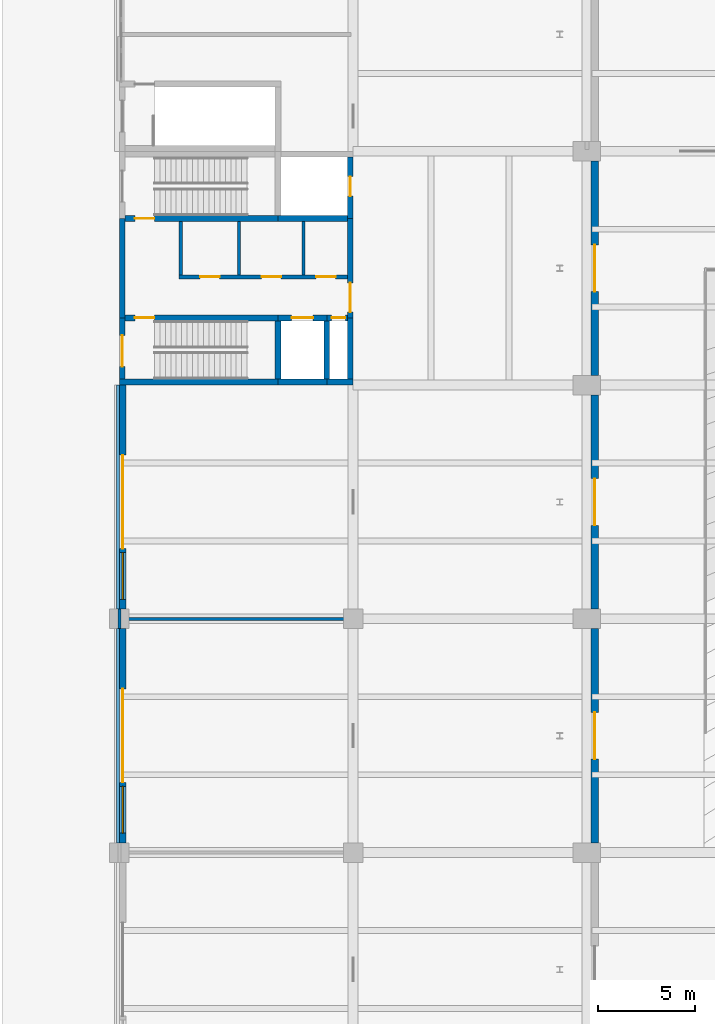
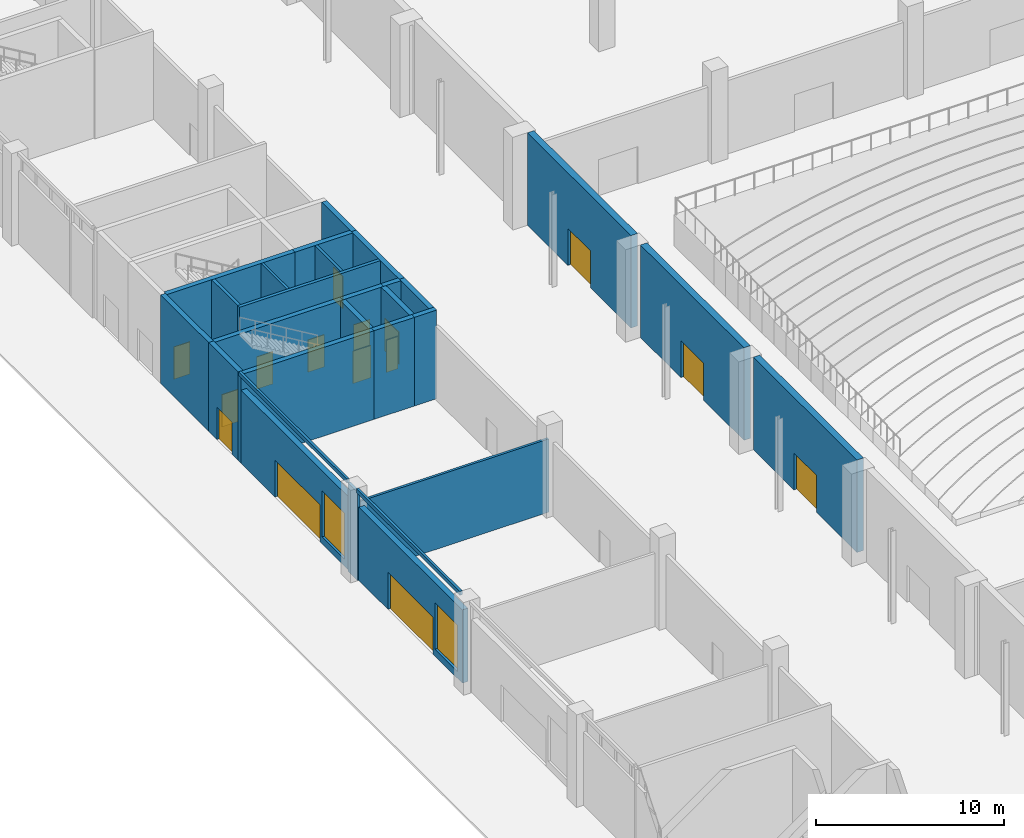
# One storey, part 40 of 59: 28 walls, 15 doors, 2 windows, 17 openings.
"""IFC4 building model written with IfcOpenShell, lengths in metres."""

from ifc_helpers import new_model, si_unit, direction, frame, frame_2d, origin, place, context, subcontext, project, spatial, rectangle, extrude, material, layer, layer_set, type_object, element, fill, save


model = new_model("IFC4")

# Units and contexts
model_context = context("Model", 3, precision=1e-05, world=origin(), true_north=direction((0.0, 1.0)))
body_context = subcontext(model_context, "Body", "Model", "MODEL_VIEW")
ifc_project = project(units=[si_unit("LENGTHUNIT", "METRE"), si_unit("AREAUNIT", "SQUARE_METRE"), si_unit("VOLUMEUNIT", "CUBIC_METRE"), si_unit("PLANEANGLEUNIT", "RADIAN"), si_unit("MASSUNIT", "GRAM", prefix="KILO")], contexts=[model_context])

# Site, building, storey
site_placement = place(None, origin())
site = spatial("IfcSite", under=ifc_project, at=site_placement, CompositionType="ELEMENT")
building_placement = place(site_placement, origin())
building = spatial("IfcBuilding", under=site, at=building_placement, Name="Lilac Gate Convention Centre", CompositionType="ELEMENT")
storey_placement = place(building_placement, origin())
storey = spatial("IfcBuildingStorey", under=building, at=storey_placement, Name="L00", CompositionType="ELEMENT", Elevation=0.0)

# Wall, opening, door
ifc_material_1 = material(Name="Concrete C30", Category="concrete")
ifc_layer_1 = layer(ifc_material_1, 0.39990234375)
ifc_layer_set_1 = layer_set([ifc_layer_1], Name="Concrete C30")
wall_type_1 = type_object("IfcWallType", Name="Hall fire wall 400", PredefinedType="SOLIDWALL", material=ifc_layer_set_1)
wall_1_placement = place(storey_placement, frame((30.39990234375, 126.5, 0.0), z_axis=(0.0, 0.0, 1.0), x_axis=(0.0, 1.0, 0.0)))
wall_1 = element("IfcWall", 1, at=wall_1_placement, inside=storey, type_object=wall_type_1, Name="Fire wall galleria FW L00 9", PredefinedType="SOLIDWALL", context=body_context, shape_type="SweptSolid", body=[
    extrude(rectangle(XDim=11.0, YDim=0.39990234375, at=frame_2d((5.5, 0.0))), origin(), (0.0, 0.0, 1.0), 6.0),
])
opening_1_placement = place(wall_1_placement, frame((4.300048828125, 0.0, 0.0)))
opening_1 = element("IfcOpeningElement", 2, at=opening_1_placement, cuts=wall_1, Name="Opening L00-064", PredefinedType="OPENING", context=body_context, shape_type="SweptSolid", body=[
    extrude(rectangle(XDim=2.39990234375, YDim=2.39990234375, at=frame_2d((1.199951171875, 1.199951171875))), frame((0.0, 0.2099609375, 0.0), z_axis=(0.0, -1.0, 0.0), x_axis=(1.0, 0.0, 0.0)), (0.0, 0.0, 1.0), 0.419921875),
])
ifc_material_2 = material(Name="Steel Q235B", Category="steel")
door_type_1 = type_object("IfcDoorType", Name="Door 2400 x 2400 double leaf FD90", OperationType="DOUBLE_DOOR_SINGLE_SWING", PredefinedType="DOOR", material=ifc_material_2)
door_1_placement = place(opening_1_placement, origin())
door_1 = element("IfcDoor", 3, at=door_1_placement, inside=storey, type_object=door_type_1, Name="Hall exit door L00-064", OperationType="DOUBLE_DOOR_SINGLE_SWING", OverallHeight=2.39990234375, OverallWidth=2.39990234375, PredefinedType="DOOR", context=body_context, shape_type="SweptSolid", body=[
    extrude(rectangle(XDim=2.39990234375, YDim=2.39990234375, at=frame_2d((1.199951171875, 1.199951171875))), frame((0.0, 0.02490234375, 0.0), z_axis=(0.0, -1.0, 0.0), x_axis=(1.0, 0.0, 0.0)), (0.0, 0.0, 1.0), 0.050048828125),
])
fill(opening_1, door_1)

wall_2_placement = place(storey_placement, frame((30.39990234375, 138.5, 0.0), z_axis=(0.0, 0.0, 1.0), x_axis=(0.0, 1.0, 0.0)))
wall_2 = element("IfcWall", 4, at=wall_2_placement, inside=storey, type_object=wall_type_1, Name="Fire wall galleria FW L00 10", PredefinedType="SOLIDWALL", context=body_context, shape_type="SweptSolid", body=[
    extrude(rectangle(XDim=11.0, YDim=0.39990234375, at=frame_2d((5.5, 0.0))), origin(), (0.0, 0.0, 1.0), 6.0),
])
opening_2_placement = place(wall_2_placement, frame((4.300048828125, 0.0, 0.0)))
opening_2 = element("IfcOpeningElement", 5, at=opening_2_placement, cuts=wall_2, Name="Opening L00-069", PredefinedType="OPENING", context=body_context, shape_type="SweptSolid", body=[
    extrude(rectangle(XDim=2.39990234375, YDim=2.39990234375, at=frame_2d((1.199951171875, 1.199951171875))), frame((0.0, 0.2099609375, 0.0), z_axis=(0.0, -1.0, 0.0), x_axis=(1.0, 0.0, 0.0)), (0.0, 0.0, 1.0), 0.419921875),
])
door_2_placement = place(opening_2_placement, origin())
door_2 = element("IfcDoor", 6, at=door_2_placement, inside=storey, type_object=door_type_1, Name="Hall exit door L00-069", OperationType="DOUBLE_DOOR_SINGLE_SWING", OverallHeight=2.39990234375, OverallWidth=2.39990234375, PredefinedType="DOOR", context=body_context, shape_type="SweptSolid", body=[
    extrude(rectangle(XDim=2.39990234375, YDim=2.39990234375, at=frame_2d((1.199951171875, 1.199951171875))), frame((0.0, 0.02490234375, 0.0), z_axis=(0.0, -1.0, 0.0), x_axis=(1.0, 0.0, 0.0)), (0.0, 0.0, 1.0), 0.050048828125),
])
fill(opening_2, door_2)

wall_3_placement = place(storey_placement, frame((30.39990234375, 150.5, 0.0), z_axis=(0.0, 0.0, 1.0), x_axis=(0.0, 1.0, 0.0)))
wall_3 = element("IfcWall", 7, at=wall_3_placement, inside=storey, type_object=wall_type_1, Name="Fire wall galleria FW L00 11", PredefinedType="SOLIDWALL", context=body_context, shape_type="SweptSolid", body=[
    extrude(rectangle(XDim=11.0, YDim=0.39990234375, at=frame_2d((5.5, 0.0))), origin(), (0.0, 0.0, 1.0), 6.0),
])
opening_3_placement = place(wall_3_placement, frame((4.300048828125, 0.0, 0.0)))
opening_3 = element("IfcOpeningElement", 8, at=opening_3_placement, cuts=wall_3, Name="Opening L00-086", PredefinedType="OPENING", context=body_context, shape_type="SweptSolid", body=[
    extrude(rectangle(XDim=2.39990234375, YDim=2.39990234375, at=frame_2d((1.199951171875, 1.199951171875))), frame((0.0, 0.2099609375, 0.0), z_axis=(0.0, -1.0, 0.0), x_axis=(1.0, 0.0, 0.0)), (0.0, 0.0, 1.0), 0.419921875),
])
door_3_placement = place(opening_3_placement, origin())
door_3 = element("IfcDoor", 9, at=door_3_placement, inside=storey, type_object=door_type_1, Name="Hall exit door L00-086", OperationType="DOUBLE_DOOR_SINGLE_SWING", OverallHeight=2.39990234375, OverallWidth=2.39990234375, PredefinedType="DOOR", context=body_context, shape_type="SweptSolid", body=[
    extrude(rectangle(XDim=2.39990234375, YDim=2.39990234375, at=frame_2d((1.199951171875, 1.199951171875))), frame((0.0, 0.02490234375, 0.0), z_axis=(0.0, -1.0, 0.0), x_axis=(1.0, 0.0, 0.0)), (0.0, 0.0, 1.0), 0.050048828125),
])
fill(opening_3, door_3)

# Walls
ifc_material_3 = material(Name="Fire-rated gypsum board on steel stud", Category="steel")
ifc_layer_2 = layer(ifc_material_3, 0.14990234375)
ifc_layer_set_2 = layer_set([ifc_layer_2], Name="Fire-rated gypsum board on steel stud")
wall_type_2 = type_object("IfcWallType", Name="Partition 150 fire-rated gypsum board EI 60", PredefinedType="PARTITIONING", material=ifc_layer_set_2)
wall_4_placement = place(storey_placement, frame((6.074951171875, 138.0, 0.0), z_axis=(0.0, 0.0, 1.0), x_axis=(1.0, 0.0, 0.0)))
element("IfcWall", 10, at=wall_4_placement, inside=storey, type_object=wall_type_2, Name="Partition 150 fire-rated gypsum board EI 60", PredefinedType="PARTITIONING", context=body_context, shape_type="SweptSolid", body=[
    extrude(rectangle(XDim=11.824951171875, YDim=0.14990234375, at=frame_2d((5.91259765625, 0.0))), origin(), (0.0, 0.0, 1.0), 4.75),
])
wall_5_placement = place(storey_placement, frame((6.0, 137.5, 0.0), z_axis=(0.0, 0.0, 1.0), x_axis=(0.0, 1.0, 0.0)))
element("IfcWall", 11, at=wall_5_placement, inside=storey, type_object=wall_type_2, Name="Partition 150 fire-rated gypsum board EI 60", PredefinedType="PARTITIONING", context=body_context, shape_type="SweptSolid", body=[
    extrude(rectangle(XDim=1.0, YDim=0.14990234375, at=frame_2d((0.5, 0.0))), origin(), (0.0, 0.0, 1.0), 5.75),
])
for number, where, z_axis, x_axis, name in (
    (12, (12.14990234375, 155.64990234375, 0.0), (0.0, 0.0, 1.0), (0.0, 1.0, 0.0), "Partition 150 fire-rated gypsum board EI 60"),
    (13, (15.449951171875, 155.64990234375, 0.0), (0.0, 0.0, 1.0), (0.0, 1.0, 0.0), "Partition 150 fire-rated gypsum board EI 60"),
):
    element("IfcWall", number, at=place(storey_placement, frame(where, z_axis=z_axis, x_axis=x_axis)), inside=storey, type_object=wall_type_2, Name=name, PredefinedType="PARTITIONING", context=body_context, shape_type="SweptSolid", body=[
        extrude(rectangle(XDim=2.75, YDim=0.14990234375, at=frame_2d((1.375, 0.0))), origin(), (0.0, 0.0, 1.0), 5.75),
    ])

# Wall, openings, doors
ifc_material_4 = material(Name="Clay brick masonry", Category="masonry")
ifc_layer_3 = layer(ifc_material_4, 0.199951171875)
ifc_layer_set_3 = layer_set([ifc_layer_3], Name="Clay brick masonry")
wall_type_3 = type_object("IfcWallType", Name="Partition 200 brick EI 60", PredefinedType="PARTITIONING", material=ifc_layer_set_3)
wall_6_placement = place(storey_placement, frame((9.050048828125, 155.550048828125, 0.0), z_axis=(0.0, 0.0, 1.0), x_axis=(1.0, 0.0, 0.0)))
wall_6 = element("IfcWall", 14, at=wall_6_placement, inside=storey, type_object=wall_type_3, Name="Partition 200 brick EI 60", PredefinedType="PARTITIONING", context=body_context, shape_type="SweptSolid", body=[
    extrude(rectangle(XDim=8.64990234375, YDim=0.199951171875, at=frame_2d((4.324951171875, 0.0))), origin(), (0.0, 0.0, 1.0), 5.75),
])
opening_4_placement = place(wall_6_placement, frame((1.10009765625, 0.0, 0.0)))
opening_4 = element("IfcOpeningElement", 15, at=opening_4_placement, cuts=wall_6, Name="Opening L00-080", PredefinedType="OPENING", context=body_context, shape_type="SweptSolid", body=[
    extrude(rectangle(XDim=1.0, YDim=2.10009765625, at=frame_2d((0.5, 1.050048828125))), frame((0.0, 0.10986328125, 0.0), z_axis=(0.0, -1.0, 0.0), x_axis=(1.0, 0.0, 0.0)), (0.0, 0.0, 1.0), 0.219970703125),
])
opening_5_placement = place(wall_6_placement, frame((4.25, 0.0, 0.0)))
opening_5 = element("IfcOpeningElement", 16, at=opening_5_placement, cuts=wall_6, Name="Opening L00-081", PredefinedType="OPENING", context=body_context, shape_type="SweptSolid", body=[
    extrude(rectangle(XDim=1.0, YDim=2.10009765625, at=frame_2d((0.5, 1.050048828125))), frame((0.0, 0.10986328125, 0.0), z_axis=(0.0, -1.0, 0.0), x_axis=(1.0, 0.0, 0.0)), (0.0, 0.0, 1.0), 0.219970703125),
])
opening_6_placement = place(wall_6_placement, frame((7.050048828125, 0.0, 0.0)))
opening_6 = element("IfcOpeningElement", 17, at=opening_6_placement, cuts=wall_6, Name="Opening L00-082", PredefinedType="OPENING", context=body_context, shape_type="SweptSolid", body=[
    extrude(rectangle(XDim=1.0, YDim=2.10009765625, at=frame_2d((0.5, 1.050048828125))), frame((0.0, 0.10986328125, 0.0), z_axis=(0.0, -1.0, 0.0), x_axis=(1.0, 0.0, 0.0)), (0.0, 0.0, 1.0), 0.219970703125),
])
ifc_material_5 = material(Name="Timber fire door leaf", Category="wood")
door_type_2 = type_object("IfcDoorType", Name="Door 1000 x 2100 single leaf FD30", OperationType="SINGLE_SWING_LEFT", PredefinedType="DOOR", material=ifc_material_5)
door_4_placement = place(opening_4_placement, origin())
door_4 = element("IfcDoor", 18, at=door_4_placement, inside=storey, type_object=door_type_2, Name="WC door L00-080", OperationType="SINGLE_SWING_RIGHT", OverallHeight=2.10009765625, OverallWidth=1.0, PredefinedType="DOOR", context=body_context, shape_type="SweptSolid", body=[
    extrude(rectangle(XDim=1.0, YDim=2.10009765625, at=frame_2d((0.5, 1.050048828125))), frame((0.0, 0.02490234375, 0.0), z_axis=(0.0, -1.0, 0.0), x_axis=(1.0, 0.0, 0.0)), (0.0, 0.0, 1.0), 0.050048828125),
])
fill(opening_4, door_4)
door_5_placement = place(opening_5_placement, origin())
door_5 = element("IfcDoor", 19, at=door_5_placement, inside=storey, type_object=door_type_2, Name="WC door L00-081", OperationType="SINGLE_SWING_LEFT", OverallHeight=2.10009765625, OverallWidth=1.0, PredefinedType="DOOR", context=body_context, shape_type="SweptSolid", body=[
    extrude(rectangle(XDim=1.0, YDim=2.10009765625, at=frame_2d((0.5, 1.050048828125))), frame((0.0, 0.02490234375, 0.0), z_axis=(0.0, -1.0, 0.0), x_axis=(1.0, 0.0, 0.0)), (0.0, 0.0, 1.0), 0.050048828125),
])
fill(opening_5, door_5)
door_6_placement = place(opening_6_placement, origin())
door_6 = element("IfcDoor", 20, at=door_6_placement, inside=storey, type_object=door_type_2, Name="Accessible WC door L00-082", OperationType="SINGLE_SWING_LEFT", OverallHeight=2.10009765625, OverallWidth=1.0, PredefinedType="DOOR", context=body_context, shape_type="SweptSolid", body=[
    extrude(rectangle(XDim=1.0, YDim=2.10009765625, at=frame_2d((0.5, 1.050048828125))), frame((0.0, 0.02490234375, 0.0), z_axis=(0.0, -1.0, 0.0), x_axis=(1.0, 0.0, 0.0)), (0.0, 0.0, 1.0), 0.050048828125),
])
fill(opening_6, door_6)

# Wall
wall_7_placement = place(storey_placement, frame((9.14990234375, 155.64990234375, 0.0), z_axis=(0.0, 0.0, 1.0), x_axis=(0.0, 1.0, 0.0)))
element("IfcWall", 21, at=wall_7_placement, inside=storey, type_object=wall_type_3, Name="Partition 200 brick EI 60", PredefinedType="PARTITIONING", context=body_context, shape_type="SweptSolid", body=[
    extrude(rectangle(XDim=2.75, YDim=0.199951171875, at=frame_2d((1.375, 0.0))), origin(), (0.0, 0.0, 1.0), 5.75),
])

# Wall, openings, door, window
ifc_material_6 = material(Name="Ochre mineral render")
ifc_layer_4 = layer(ifc_material_6, 0.02001953125)
ifc_material_7 = material(Name="Concrete C40 precast", Category="concrete")
ifc_layer_5 = layer(ifc_material_7, 0.06005859375)
ifc_material_8 = material(Name="Ventilated air cavity")
ifc_layer_6 = layer(ifc_material_8, 0.030029296875)
ifc_material_9 = material(Name="Mineral wool insulation")
ifc_layer_7 = layer(ifc_material_9, 0.169921875)
ifc_material_10 = material(Name="Steel stud Q345 and gypsum lining", Category="steel")
ifc_layer_8 = layer(ifc_material_10, 0.070068359375)
ifc_layer_set_4 = layer_set([ifc_layer_4, ifc_layer_5, ifc_layer_6, ifc_layer_7, ifc_layer_8], Name="Ochre mineral render, Concrete C40 precast, Ventilated air cavity, Mineral wool insulation, Steel stud Q345 and gypsum lining")
wall_type_4 = type_object("IfcWallType", Name="Podium precast wall 350", PredefinedType="STANDARD", material=ifc_layer_set_4)
wall_8_placement = place(storey_placement, frame((6.175048828125, 150.0, 0.0), z_axis=(0.0, 0.0, 1.0), x_axis=(0.0, -1.0, 0.0)))
wall_8 = element("IfcWall", 22, at=wall_8_placement, inside=storey, type_object=wall_type_4, Name="External wall west PW L00 5", PredefinedType="STANDARD", context=body_context, shape_type="SweptSolid", body=[
    extrude(rectangle(XDim=11.5, YDim=0.35009765625, at=frame_2d((5.75, 0.0))), origin(), (0.0, 0.0, 1.0), 4.75),
])
opening_7_placement = place(wall_8_placement, frame((8.60009765625, 0.0, 0.449951171875)))
opening_7 = element("IfcOpeningElement", 23, at=opening_7_placement, cuts=wall_8, Name="Opening W6", PredefinedType="OPENING", context=body_context, shape_type="SweptSolid", body=[
    extrude(rectangle(XDim=2.39990234375, YDim=3.0, at=frame_2d((1.199951171875, 1.5))), frame((0.0, 0.18505859375, 0.0), z_axis=(0.0, -1.0, 0.0), x_axis=(1.0, 0.0, 0.0)), (0.0, 0.0, 1.0), 0.3701171875),
])
opening_8_placement = place(wall_8_placement, frame((3.60009765625, 0.0, 0.0)))
opening_8 = element("IfcOpeningElement", 24, at=opening_8_placement, cuts=wall_8, Name="Opening ED-007", PredefinedType="OPENING", context=body_context, shape_type="SweptSolid", body=[
    extrude(rectangle(XDim=4.800048828125, YDim=2.39990234375, at=frame_2d((2.39990234375, 1.199951171875))), frame((0.0, 0.18505859375, 0.0), z_axis=(0.0, -1.0, 0.0), x_axis=(1.0, 0.0, 0.0)), (0.0, 0.0, 1.0), 0.3701171875),
])
door_type_3 = type_object("IfcDoorType", Name="Exit door set 4800 x 2400", OperationType="DOUBLE_DOOR_SINGLE_SWING", PredefinedType="DOOR", material=ifc_material_2)
door_7_placement = place(opening_8_placement, frame((4.800048828125, 0.0, 0.0), z_axis=(0.0, 0.0, 1.0), x_axis=(-1.0, 0.0, 0.0)))
door_7 = element("IfcDoor", 25, at=door_7_placement, inside=storey, type_object=door_type_3, Name="Pedestrian exit doors G2", OperationType="DOUBLE_DOOR_SINGLE_SWING", OverallHeight=2.39990234375, OverallWidth=4.800048828125, PredefinedType="DOOR", context=body_context, shape_type="SweptSolid", body=[
    extrude(rectangle(XDim=4.800048828125, YDim=2.39990234375, at=frame_2d((2.39990234375, 1.199951171875))), frame((0.0, 0.02490234375, 0.0), z_axis=(0.0, -1.0, 0.0), x_axis=(1.0, 0.0, 0.0)), (0.0, 0.0, 1.0), 0.050048828125),
])
fill(opening_8, door_7)
ifc_material_11 = material(Name="Aluminium framed double glazing", Category="aluminium")
window_type = type_object("IfcWindowType", Name="Shopfront window 2400 x 3000", PartitioningType="TRIPLE_PANEL_VERTICAL", PredefinedType="WINDOW", material=ifc_material_11)
window_1_placement = place(opening_7_placement, origin())
window_1 = element("IfcWindow", 26, at=window_1_placement, inside=storey, type_object=window_type, Name="Window L00 west 141", OverallHeight=3.0, OverallWidth=2.39990234375, PartitioningType="SINGLE_PANEL", PredefinedType="WINDOW", context=body_context, shape_type="SweptSolid", body=[
    extrude(rectangle(XDim=2.39990234375, YDim=3.0, at=frame_2d((1.199951171875, 1.5))), frame((0.0, 0.030029296875, 0.0), z_axis=(0.0, -1.0, 0.0), x_axis=(1.0, 0.0, 0.0)), (0.0, 0.0, 1.0), 0.06005859375),
])
fill(opening_7, window_1)

wall_9_placement = place(storey_placement, frame((6.175048828125, 137.5, 0.0), z_axis=(0.0, 0.0, 1.0), x_axis=(0.0, -1.0, 0.0)))
wall_9 = element("IfcWall", 27, at=wall_9_placement, inside=storey, type_object=wall_type_4, Name="External wall west PW L00 6", PredefinedType="STANDARD", context=body_context, shape_type="SweptSolid", body=[
    extrude(rectangle(XDim=11.0, YDim=0.35009765625, at=frame_2d((5.5, 0.0))), origin(), (0.0, 0.0, 1.0), 4.75),
])
opening_9_placement = place(wall_9_placement, frame((8.10009765625, 0.0, 0.449951171875)))
opening_9 = element("IfcOpeningElement", 28, at=opening_9_placement, cuts=wall_9, Name="Opening W6", PredefinedType="OPENING", context=body_context, shape_type="SweptSolid", body=[
    extrude(rectangle(XDim=2.39990234375, YDim=3.0, at=frame_2d((1.199951171875, 1.5))), frame((0.0, 0.18505859375, 0.0), z_axis=(0.0, -1.0, 0.0), x_axis=(1.0, 0.0, 0.0)), (0.0, 0.0, 1.0), 0.3701171875),
])
opening_10_placement = place(wall_9_placement, frame((3.10009765625, 0.0, 0.0)))
opening_10 = element("IfcOpeningElement", 29, at=opening_10_placement, cuts=wall_9, Name="Opening ED-008", PredefinedType="OPENING", context=body_context, shape_type="SweptSolid", body=[
    extrude(rectangle(XDim=4.800048828125, YDim=2.39990234375, at=frame_2d((2.39990234375, 1.199951171875))), frame((0.0, 0.18505859375, 0.0), z_axis=(0.0, -1.0, 0.0), x_axis=(1.0, 0.0, 0.0)), (0.0, 0.0, 1.0), 0.3701171875),
])
door_8_placement = place(opening_10_placement, frame((4.800048828125, 0.0, 0.0), z_axis=(0.0, 0.0, 1.0), x_axis=(-1.0, 0.0, 0.0)))
door_8 = element("IfcDoor", 30, at=door_8_placement, inside=storey, type_object=door_type_3, Name="Pedestrian exit doors G3", OperationType="DOUBLE_DOOR_SINGLE_SWING", OverallHeight=2.39990234375, OverallWidth=4.800048828125, PredefinedType="DOOR", context=body_context, shape_type="SweptSolid", body=[
    extrude(rectangle(XDim=4.800048828125, YDim=2.39990234375, at=frame_2d((2.39990234375, 1.199951171875))), frame((0.0, 0.02490234375, 0.0), z_axis=(0.0, -1.0, 0.0), x_axis=(1.0, 0.0, 0.0)), (0.0, 0.0, 1.0), 0.050048828125),
])
fill(opening_10, door_8)
window_2_placement = place(opening_9_placement, origin())
window_2 = element("IfcWindow", 31, at=window_2_placement, inside=storey, type_object=window_type, Name="Window L00 west 129", OverallHeight=3.0, OverallWidth=2.39990234375, PartitioningType="SINGLE_PANEL", PredefinedType="WINDOW", context=body_context, shape_type="SweptSolid", body=[
    extrude(rectangle(XDim=2.39990234375, YDim=3.0, at=frame_2d((1.199951171875, 1.5))), frame((0.0, 0.030029296875, 0.0), z_axis=(0.0, -1.0, 0.0), x_axis=(1.0, 0.0, 0.0)), (0.0, 0.0, 1.0), 0.06005859375),
])
fill(opening_9, window_2)

# Walls
ifc_layer_9 = layer(ifc_material_7, 0.1298828125)
ifc_material_12 = material(Name="Teal glazed cladding")
ifc_layer_10 = layer(ifc_material_12, 0.02001953125)
ifc_layer_set_5 = layer_set([ifc_layer_9, ifc_layer_10], Name="Concrete C40 precast, Teal glazed cladding")
wall_type_5 = type_object("IfcWallType", Name="Precast band teal 150", PredefinedType="STANDARD", material=ifc_layer_set_5)
wall_10_placement = place(storey_placement, frame((5.925048828125, 150.0, 5.75), z_axis=(0.0, 0.0, 1.0), x_axis=(0.0, -1.0, 0.0)))
element("IfcWall", 32, at=wall_10_placement, inside=storey, type_object=wall_type_5, Name="Precast band PW L00 5", PredefinedType="STANDARD", context=body_context, shape_type="SweptSolid", body=[
    extrude(rectangle(XDim=11.5, YDim=0.14990234375, at=frame_2d((5.75, 0.0))), origin(), (0.0, 0.0, 1.0), 0.25),
])
wall_11_placement = place(storey_placement, frame((5.925048828125, 137.5, 5.75), z_axis=(0.0, 0.0, 1.0), x_axis=(0.0, -1.0, 0.0)))
element("IfcWall", 33, at=wall_11_placement, inside=storey, type_object=wall_type_5, Name="Precast band PW L00 6", PredefinedType="STANDARD", context=body_context, shape_type="SweptSolid", body=[
    extrude(rectangle(XDim=11.0, YDim=0.14990234375, at=frame_2d((5.5, 0.0))), origin(), (0.0, 0.0, 1.0), 0.25),
])
ifc_material_13 = material(Name="Concrete C40", Category="concrete")
ifc_layer_11 = layer(ifc_material_13, 0.300048828125)
ifc_layer_set_6 = layer_set([ifc_layer_11], Name="Concrete C40")
wall_type_6 = type_object("IfcWallType", Name="Shear wall 300 C40", PredefinedType="SHEAR", material=ifc_layer_set_6)
wall_12_placement = place(storey_placement, frame((6.0, 150.14990234375, 0.0), z_axis=(0.0, 0.0, 1.0), x_axis=(1.0, 0.0, 0.0)))
element("IfcWall", 34, at=wall_12_placement, inside=storey, type_object=wall_type_6, Name="SW1 shear wall W3 L00 1", PredefinedType="SHEAR", context=body_context, shape_type="SweptSolid", body=[
    extrude(rectangle(XDim=8.14990234375, YDim=0.300048828125, at=frame_2d((4.074951171875, 0.0))), origin(), (0.0, 0.0, 1.0), 5.75),
])
wall_13_placement = place(storey_placement, frame((14.14990234375, 150.14990234375, 0.0), z_axis=(0.0, 0.0, 1.0), x_axis=(1.0, 0.0, 0.0)))
element("IfcWall", 35, at=wall_13_placement, inside=storey, type_object=wall_type_6, Name="SW1 shear wall W3 L00 2", PredefinedType="SHEAR", context=body_context, shape_type="SweptSolid", body=[
    extrude(rectangle(XDim=2.5, YDim=0.300048828125, at=frame_2d((1.25, 0.0))), origin(), (0.0, 0.0, 1.0), 5.75),
])
wall_14_placement = place(storey_placement, frame((16.64990234375, 150.14990234375, 0.0), z_axis=(0.0, 0.0, 1.0), x_axis=(1.0, 0.0, 0.0)))
element("IfcWall", 36, at=wall_14_placement, inside=storey, type_object=wall_type_6, Name="SW1 shear wall W3 L00 3", PredefinedType="SHEAR", context=body_context, shape_type="SweptSolid", body=[
    extrude(rectangle(XDim=1.35009765625, YDim=0.300048828125, at=frame_2d((0.675048828125, 0.0))), origin(), (0.0, 0.0, 1.0), 5.75),
])

# Wall, opening, door
wall_15_placement = place(storey_placement, frame((6.300048828125, 153.449951171875, 0.0), z_axis=(0.0, 0.0, 1.0), x_axis=(1.0, 0.0, 0.0)))
wall_15 = element("IfcWall", 37, at=wall_15_placement, inside=storey, type_object=wall_type_6, Name="SW1 shear wall W3 L00 6", PredefinedType="SHEAR", context=body_context, shape_type="SweptSolid", body=[
    extrude(rectangle(XDim=7.849853515625, YDim=0.300048828125, at=frame_2d((3.9248046875, 0.0))), origin(), (0.0, 0.0, 1.0), 5.75),
])
opening_11_placement = place(wall_15_placement, frame((0.5, 0.0, 0.0)))
opening_11 = element("IfcOpeningElement", 38, at=opening_11_placement, cuts=wall_15, Name="Opening L00-074", PredefinedType="OPENING", context=body_context, shape_type="SweptSolid", body=[
    extrude(rectangle(XDim=1.0, YDim=2.10009765625, at=frame_2d((0.5, 1.050048828125))), frame((0.0, 0.159912109375, 0.0), z_axis=(0.0, -1.0, 0.0), x_axis=(1.0, 0.0, 0.0)), (0.0, 0.0, 1.0), 0.320068359375),
])
door_type_4 = type_object("IfcDoorType", Name="Door 1000 x 2100 single leaf FD60", OperationType="SINGLE_SWING_LEFT", PredefinedType="DOOR", material=ifc_material_5)
door_9_placement = place(opening_11_placement, frame((1.0, 0.0, 0.0), z_axis=(0.0, 0.0, 1.0), x_axis=(-1.0, 0.0, 0.0)))
door_9 = element("IfcDoor", 39, at=door_9_placement, inside=storey, type_object=door_type_4, Name="Stair door L00-074", OperationType="SINGLE_SWING_LEFT", OverallHeight=2.10009765625, OverallWidth=1.0, PredefinedType="DOOR", context=body_context, shape_type="SweptSolid", body=[
    extrude(rectangle(XDim=1.0, YDim=2.10009765625, at=frame_2d((0.5, 1.050048828125))), frame((0.0, 0.02490234375, 0.0), z_axis=(0.0, -1.0, 0.0), x_axis=(1.0, 0.0, 0.0)), (0.0, 0.0, 1.0), 0.050048828125),
])
fill(opening_11, door_9)

wall_16_placement = place(storey_placement, frame((14.14990234375, 153.449951171875, 0.0), z_axis=(0.0, 0.0, 1.0), x_axis=(1.0, 0.0, 0.0)))
wall_16 = element("IfcWall", 40, at=wall_16_placement, inside=storey, type_object=wall_type_6, Name="SW1 shear wall W3 L00 7", PredefinedType="SHEAR", context=body_context, shape_type="SweptSolid", body=[
    extrude(rectangle(XDim=2.5, YDim=0.300048828125, at=frame_2d((1.25, 0.0))), origin(), (0.0, 0.0, 1.0), 5.75),
])
opening_12_placement = place(wall_16_placement, frame((0.699951171875, 0.0, 0.0)))
opening_12 = element("IfcOpeningElement", 41, at=opening_12_placement, cuts=wall_16, Name="Opening LDW3-00", PredefinedType="OPENING", context=body_context, shape_type="SweptSolid", body=[
    extrude(rectangle(XDim=1.10009765625, YDim=2.10009765625, at=frame_2d((0.550048828125, 1.050048828125))), frame((0.0, 0.159912109375, 0.0), z_axis=(0.0, -1.0, 0.0), x_axis=(1.0, 0.0, 0.0)), (0.0, 0.0, 1.0), 0.320068359375),
])
ifc_material_14 = material(Name="Stainless steel 304", Category="steel")
door_type_5 = type_object("IfcDoorType", Name="Lift landing door 1100 x 2100", OperationType="SLIDING_TO_LEFT", PredefinedType="DOOR", material=ifc_material_14)
door_10_placement = place(opening_12_placement, origin())
door_10 = element("IfcDoor", 42, at=door_10_placement, inside=storey, type_object=door_type_5, Name="Lift landing door LDW3-00", OperationType="SLIDING_TO_LEFT", OverallHeight=2.10009765625, OverallWidth=1.10009765625, PredefinedType="DOOR", context=body_context, shape_type="SweptSolid", body=[
    extrude(rectangle(XDim=1.10009765625, YDim=2.10009765625, at=frame_2d((0.550048828125, 1.050048828125))), frame((0.0, 0.02490234375, 0.0), z_axis=(0.0, -1.0, 0.0), x_axis=(1.0, 0.0, 0.0)), (0.0, 0.0, 1.0), 0.050048828125),
])
fill(opening_12, door_10)

wall_17_placement = place(storey_placement, frame((16.64990234375, 153.449951171875, 0.0), z_axis=(0.0, 0.0, 1.0), x_axis=(1.0, 0.0, 0.0)))
wall_17 = element("IfcWall", 43, at=wall_17_placement, inside=storey, type_object=wall_type_6, Name="SW1 shear wall W3 L00 8", PredefinedType="SHEAR", context=body_context, shape_type="SweptSolid", body=[
    extrude(rectangle(XDim=1.050048828125, YDim=0.300048828125, at=frame_2d((0.52490234375, 0.0))), origin(), (0.0, 0.0, 1.0), 5.75),
])
opening_13_placement = place(wall_17_placement, frame((0.25, 0.0, 0.0)))
opening_13 = element("IfcOpeningElement", 44, at=opening_13_placement, cuts=wall_17, Name="Opening L00-075", PredefinedType="OPENING", context=body_context, shape_type="SweptSolid", body=[
    extrude(rectangle(XDim=0.699951171875, YDim=2.10009765625, at=frame_2d((0.35009765625, 1.050048828125))), frame((0.0, 0.159912109375, 0.0), z_axis=(0.0, -1.0, 0.0), x_axis=(1.0, 0.0, 0.0)), (0.0, 0.0, 1.0), 0.320068359375),
])
door_type_6 = type_object("IfcDoorType", Name="Door 700 x 2100 single leaf FD30", OperationType="SINGLE_SWING_LEFT", PredefinedType="DOOR", material=ifc_material_5)
door_11_placement = place(opening_13_placement, frame((0.699951171875, 0.0, 0.0), z_axis=(0.0, 0.0, 1.0), x_axis=(-1.0, 0.0, 0.0)))
door_11 = element("IfcDoor", 45, at=door_11_placement, inside=storey, type_object=door_type_6, Name="Riser access door L00-075", OperationType="SINGLE_SWING_LEFT", OverallHeight=2.10009765625, OverallWidth=0.699951171875, PredefinedType="DOOR", context=body_context, shape_type="SweptSolid", body=[
    extrude(rectangle(XDim=0.699951171875, YDim=2.10009765625, at=frame_2d((0.35009765625, 1.050048828125))), frame((0.0, 0.02490234375, 0.0), z_axis=(0.0, -1.0, 0.0), x_axis=(1.0, 0.0, 0.0)), (0.0, 0.0, 1.0), 0.050048828125),
])
fill(opening_13, door_11)

wall_18_placement = place(storey_placement, frame((6.300048828125, 158.550048828125, 0.0), z_axis=(0.0, 0.0, 1.0), x_axis=(1.0, 0.0, 0.0)))
wall_18 = element("IfcWall", 46, at=wall_18_placement, inside=storey, type_object=wall_type_6, Name="SW1 shear wall W3 L00 9", PredefinedType="SHEAR", context=body_context, shape_type="SweptSolid", body=[
    extrude(rectangle(XDim=7.849853515625, YDim=0.300048828125, at=frame_2d((3.9248046875, 0.0))), origin(), (0.0, 0.0, 1.0), 5.75),
])
opening_14_placement = place(wall_18_placement, frame((0.5, 0.0, 0.0)))
opening_14 = element("IfcOpeningElement", 47, at=opening_14_placement, cuts=wall_18, Name="Opening L00-087", PredefinedType="OPENING", context=body_context, shape_type="SweptSolid", body=[
    extrude(rectangle(XDim=1.0, YDim=2.10009765625, at=frame_2d((0.5, 1.050048828125))), frame((0.0, 0.159912109375, 0.0), z_axis=(0.0, -1.0, 0.0), x_axis=(1.0, 0.0, 0.0)), (0.0, 0.0, 1.0), 0.320068359375),
])
door_12_placement = place(opening_14_placement, origin())
door_12 = element("IfcDoor", 48, at=door_12_placement, inside=storey, type_object=door_type_4, Name="Stair door L00-087", OperationType="SINGLE_SWING_RIGHT", OverallHeight=2.10009765625, OverallWidth=1.0, PredefinedType="DOOR", context=body_context, shape_type="SweptSolid", body=[
    extrude(rectangle(XDim=1.0, YDim=2.10009765625, at=frame_2d((0.5, 1.050048828125))), frame((0.0, 0.02490234375, 0.0), z_axis=(0.0, -1.0, 0.0), x_axis=(1.0, 0.0, 0.0)), (0.0, 0.0, 1.0), 0.050048828125),
])
fill(opening_14, door_12)

# Wall
wall_19_placement = place(storey_placement, frame((14.14990234375, 158.550048828125, 0.0), z_axis=(0.0, 0.0, 1.0), x_axis=(1.0, 0.0, 0.0)))
element("IfcWall", 49, at=wall_19_placement, inside=storey, type_object=wall_type_6, Name="SW1 shear wall W3 L00 10", PredefinedType="SHEAR", context=body_context, shape_type="SweptSolid", body=[
    extrude(rectangle(XDim=3.550048828125, YDim=0.300048828125, at=frame_2d((1.77490234375, 0.0))), origin(), (0.0, 0.0, 1.0), 5.75),
])

# Wall, opening, door
wall_20_placement = place(storey_placement, frame((6.14990234375, 150.300048828125, 0.0), z_axis=(0.0, 0.0, 1.0), x_axis=(0.0, 1.0, 0.0)))
wall_20 = element("IfcWall", 50, at=wall_20_placement, inside=storey, type_object=wall_type_6, Name="SW1 shear wall W3 L00 11", PredefinedType="SHEAR", context=body_context, shape_type="SweptSolid", body=[
    extrude(rectangle(XDim=3.14990234375, YDim=0.300048828125, at=frame_2d((1.574951171875, 0.0))), origin(), (0.0, 0.0, 1.0), 5.75),
])
opening_15_placement = place(wall_20_placement, frame((0.64990234375, 0.0, 0.0)))
opening_15 = element("IfcOpeningElement", 51, at=opening_15_placement, cuts=wall_20, Name="Opening L00-072", PredefinedType="OPENING", context=body_context, shape_type="SweptSolid", body=[
    extrude(rectangle(XDim=1.60009765625, YDim=2.10009765625, at=frame_2d((0.800048828125, 1.050048828125))), frame((0.0, 0.159912109375, 0.0), z_axis=(0.0, -1.0, 0.0), x_axis=(1.0, 0.0, 0.0)), (0.0, 0.0, 1.0), 0.320068359375),
])
door_type_7 = type_object("IfcDoorType", Name="Door 1600 x 2100 double leaf FD60", OperationType="DOUBLE_DOOR_SINGLE_SWING", PredefinedType="DOOR", material=ifc_material_5)
door_13_placement = place(opening_15_placement, origin())
door_13 = element("IfcDoor", 52, at=door_13_placement, inside=storey, type_object=door_type_7, Name="Stair exit door L00-072", OperationType="DOUBLE_DOOR_SINGLE_SWING", OverallHeight=2.10009765625, OverallWidth=1.60009765625, PredefinedType="DOOR", context=body_context, shape_type="SweptSolid", body=[
    extrude(rectangle(XDim=1.60009765625, YDim=2.10009765625, at=frame_2d((0.800048828125, 1.050048828125))), frame((0.0, 0.02490234375, 0.0), z_axis=(0.0, -1.0, 0.0), x_axis=(1.0, 0.0, 0.0)), (0.0, 0.0, 1.0), 0.050048828125),
])
fill(opening_15, door_13)

# Walls
wall_21_placement = place(storey_placement, frame((6.14990234375, 153.449951171875, 0.0), z_axis=(0.0, 0.0, 1.0), x_axis=(0.0, 1.0, 0.0)))
element("IfcWall", 53, at=wall_21_placement, inside=storey, type_object=wall_type_6, Name="SW1 shear wall W3 L00 12", PredefinedType="SHEAR", context=body_context, shape_type="SweptSolid", body=[
    extrude(rectangle(XDim=5.10009765625, YDim=0.300048828125, at=frame_2d((2.550048828125, 0.0))), origin(), (0.0, 0.0, 1.0), 5.75),
])
wall_22_placement = place(storey_placement, frame((17.85009765625, 150.300048828125, 0.0), z_axis=(0.0, 0.0, 1.0), x_axis=(0.0, 1.0, 0.0)))
element("IfcWall", 54, at=wall_22_placement, inside=storey, type_object=wall_type_6, Name="SW1 shear wall W3 L00 14", PredefinedType="SHEAR", context=body_context, shape_type="SweptSolid", body=[
    extrude(rectangle(XDim=3.14990234375, YDim=0.300048828125, at=frame_2d((1.574951171875, 0.0))), origin(), (0.0, 0.0, 1.0), 5.75),
])

# Wall, opening, door
wall_23_placement = place(storey_placement, frame((17.85009765625, 153.449951171875, 0.0), z_axis=(0.0, 0.0, 1.0), x_axis=(0.0, 1.0, 0.0)))
wall_23 = element("IfcWall", 55, at=wall_23_placement, inside=storey, type_object=wall_type_6, Name="SW1 shear wall W3 L00 15", PredefinedType="SHEAR", context=body_context, shape_type="SweptSolid", body=[
    extrude(rectangle(XDim=5.10009765625, YDim=0.300048828125, at=frame_2d((2.550048828125, 0.0))), origin(), (0.0, 0.0, 1.0), 5.75),
])
opening_16_placement = place(wall_23_placement, frame((0.300048828125, 0.0, 0.0)))
opening_16 = element("IfcOpeningElement", 56, at=opening_16_placement, cuts=wall_23, Name="Opening L00-078", PredefinedType="OPENING", context=body_context, shape_type="SweptSolid", body=[
    extrude(rectangle(XDim=1.5, YDim=2.10009765625, at=frame_2d((0.75, 1.050048828125))), frame((0.0, 0.159912109375, 0.0), z_axis=(0.0, -1.0, 0.0), x_axis=(1.0, 0.0, 0.0)), (0.0, 0.0, 1.0), 0.320068359375),
])
door_type_8 = type_object("IfcDoorType", Name="Door 1500 x 2100 double leaf FD30", OperationType="DOUBLE_DOOR_SINGLE_SWING", PredefinedType="DOOR", material=ifc_material_5)
door_14_placement = place(opening_16_placement, origin())
door_14 = element("IfcDoor", 57, at=door_14_placement, inside=storey, type_object=door_type_8, Name="Lobby door L00-078", OperationType="DOUBLE_DOOR_SINGLE_SWING", OverallHeight=2.10009765625, OverallWidth=1.5, PredefinedType="DOOR", context=body_context, shape_type="SweptSolid", body=[
    extrude(rectangle(XDim=1.5, YDim=2.10009765625, at=frame_2d((0.75, 1.050048828125))), frame((0.0, 0.02490234375, 0.0), z_axis=(0.0, -1.0, 0.0), x_axis=(1.0, 0.0, 0.0)), (0.0, 0.0, 1.0), 0.050048828125),
])
fill(opening_16, door_14)

wall_24_placement = place(storey_placement, frame((17.85009765625, 158.550048828125, 0.0), z_axis=(0.0, 0.0, 1.0), x_axis=(0.0, 1.0, 0.0)))
wall_24 = element("IfcWall", 58, at=wall_24_placement, inside=storey, type_object=wall_type_6, Name="SW1 shear wall W3 L00 16", PredefinedType="SHEAR", context=body_context, shape_type="SweptSolid", body=[
    extrude(rectangle(XDim=3.14990234375, YDim=0.300048828125, at=frame_2d((1.574951171875, 0.0))), origin(), (0.0, 0.0, 1.0), 5.75),
])
opening_17_placement = place(wall_24_placement, frame((1.14990234375, 0.0, 0.0)))
opening_17 = element("IfcOpeningElement", 59, at=opening_17_placement, cuts=wall_24, Name="Opening L00-090", PredefinedType="OPENING", context=body_context, shape_type="SweptSolid", body=[
    extrude(rectangle(XDim=1.0, YDim=2.10009765625, at=frame_2d((0.5, 1.050048828125))), frame((0.0, 0.159912109375, 0.0), z_axis=(0.0, -1.0, 0.0), x_axis=(1.0, 0.0, 0.0)), (0.0, 0.0, 1.0), 0.320068359375),
])
door_15_placement = place(opening_17_placement, origin())
door_15 = element("IfcDoor", 60, at=door_15_placement, inside=storey, type_object=door_type_2, Name="Riser access door L00-090", OperationType="SINGLE_SWING_RIGHT", OverallHeight=2.10009765625, OverallWidth=1.0, PredefinedType="DOOR", context=body_context, shape_type="SweptSolid", body=[
    extrude(rectangle(XDim=1.0, YDim=2.10009765625, at=frame_2d((0.5, 1.050048828125))), frame((0.0, 0.02490234375, 0.0), z_axis=(0.0, -1.0, 0.0), x_axis=(1.0, 0.0, 0.0)), (0.0, 0.0, 1.0), 0.050048828125),
])
fill(opening_17, door_15)

# Walls
for number, where, z_axis, x_axis, name in (
    (61, (14.14990234375, 150.300048828125, 0.0), (0.0, 0.0, 1.0), (0.0, 1.0, 0.0), "SW1 shear wall W3 L00 17"),
    (62, (16.64990234375, 150.300048828125, 0.0), (0.0, 0.0, 1.0), (0.0, 1.0, 0.0), "SW1 shear wall W3 L00 19"),
):
    element("IfcWall", number, at=place(storey_placement, frame(where, z_axis=z_axis, x_axis=x_axis)), inside=storey, type_object=wall_type_6, Name=name, PredefinedType="SHEAR", context=body_context, shape_type="SweptSolid", body=[
        extrude(rectangle(XDim=3.0, YDim=0.300048828125, at=frame_2d((1.5, 0.0))), origin(), (0.0, 0.0, 1.0), 5.75),
    ])

save(model, "model.ifc")
